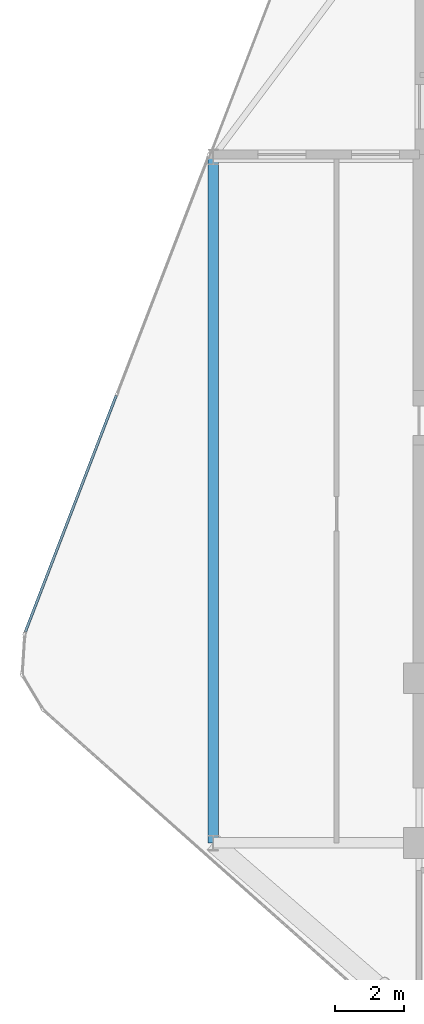
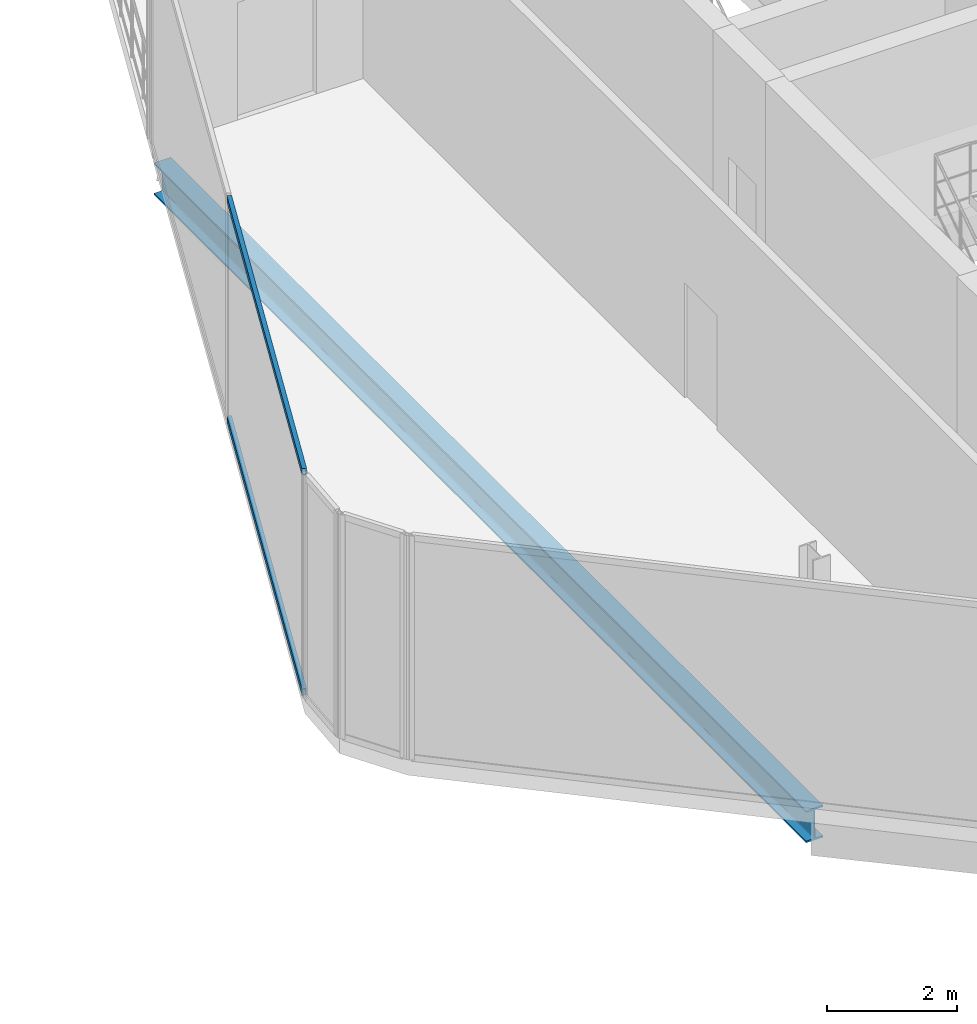
# One storey, part 9 of 31: 2 members, 1 beam, 1 element without a shape of its own.
"""IFC4 building model written with IfcOpenShell, lengths in metres."""

from ifc_helpers import new_model, si_unit, direction, frame, origin, origin_2d, place, context, subcontext, project, spatial, hollow_rectangle, i_section, extrude, material, layer, layer_set, material_profile, profile_set, type_object, element, aggregate, save


model = new_model("IFC4")

# Units and contexts
model_context = context("Model", 3, precision=1e-05, world=origin(), true_north=direction((0.0, 1.0)))
body_context = subcontext(model_context, "Body", "Model", "MODEL_VIEW")
ifc_project = project(units=[si_unit("LENGTHUNIT", "METRE"), si_unit("AREAUNIT", "SQUARE_METRE"), si_unit("VOLUMEUNIT", "CUBIC_METRE"), si_unit("PLANEANGLEUNIT", "RADIAN"), si_unit("MASSUNIT", "GRAM", prefix="KILO")], contexts=[model_context])

# Site, building, storey
site_placement = place(None, origin())
site = spatial("IfcSite", under=ifc_project, at=site_placement, CompositionType="ELEMENT")
building_placement = place(site_placement, origin())
building = spatial("IfcBuilding", under=site, at=building_placement, Name="Keshet Zoharim Tower", CompositionType="ELEMENT")
storey_placement = place(building_placement, frame((0.0, 0.0, 183.89990234375)))
storey = spatial("IfcBuildingStorey", under=building, at=storey_placement, Name="L45", CompositionType="ELEMENT", Elevation=183.89990234375)

# Beam
ifc_material_1 = material(Name="Steel S355", Category="steel")
ifc_material_profile_1 = material_profile(ifc_material_1, i_section(OverallWidth=0.300048828125, OverallDepth=0.60009765625, WebThickness=0.015380859375, FlangeThickness=0.030029296875, FilletRadius=0.027099609375, at=origin_2d()), Name="HEB600")
ifc_profile_set_1 = profile_set([ifc_material_profile_1], Name="Steel S355")
beam_type = type_object("IfcBeamType", Name="BM-LNG-HB600", PredefinedType="BEAM", material=ifc_profile_set_1)
beam_placement = place(storey_placement, frame((9.0, 17.89990234375, -0.619873046875), z_axis=(0.0, 1.0, 0.0), x_axis=(-1.0, 0.0, 0.0)))
element("IfcBeam", 1, at=beam_placement, inside=storey, type_object=beam_type, Name="L45 Primary Girder Y-001", PredefinedType="BEAM", context=body_context, shape_type="SweptSolid", body=[
    extrude(i_section(OverallWidth=0.300048828125, OverallDepth=0.60009765625, WebThickness=0.015380859375, FlangeThickness=0.030029296875, FilletRadius=0.027099609375, at=origin_2d()), origin(), (0.0, 0.0, 1.0), 20.0),
])

# Curtain wall, members
ifc_material_2 = material(Name="Aluminium 6063-T6", Category="aluminium")
ifc_layer = layer(ifc_material_2, 0.139892578125)
ifc_layer_set = layer_set([ifc_layer], Name="Aluminium 6063-T6")
curtain_wall_type = type_object("IfcCurtainWallType", Name="CW-SYS-05", PredefinedType="NOTDEFINED", material=ifc_layer_set)
curtain_wall_placement = place(storey_placement, origin())
curtain_wall = element("IfcCurtainWall", 2, at=curtain_wall_placement, inside=storey, type_object=curtain_wall_type, Name="L45 Unitised Curtain Wall 18", PredefinedType="NOTDEFINED")
ifc_material_profile_2 = material_profile(ifc_material_2, hollow_rectangle(XDim=0.074951171875, YDim=0.1201171875, WallThickness=0.00390625, at=origin_2d()), Name="TRN-75x120")
ifc_profile_set_2 = profile_set([ifc_material_profile_2], Name="Aluminium 6063-T6")
member_type = type_object("IfcMemberType", Name="CWT-T12", PredefinedType="USERDEFINED", material=ifc_profile_set_2)
member_1_placement = place(storey_placement, frame((3.522216796875, 24.058349609375, 0.03515625), z_axis=(0.358976864896, 0.933346457897, 0.0), x_axis=(-0.933346457897, 0.358976864896, 0.0)))
member_1 = element("IfcMember", 3, at=member_1_placement, type_object=member_type, Name="CW-05 transom 1.1", ObjectType="TRANSOM", PredefinedType="USERDEFINED", context=body_context, shape_type="SweptSolid", body=[
    extrude(hollow_rectangle(XDim=0.074951171875, YDim=0.1201171875, WallThickness=0.00390625, at=origin_2d()), origin(), (0.0, 0.0, 1.0), 7.387939453125),
])
member_2_placement = place(storey_placement, frame((3.522216796875, 24.058349609375, 4.155029296875), z_axis=(0.358976864896, 0.933346457897, 0.0), x_axis=(-0.933346457897, 0.358976864896, 0.0)))
member_2 = element("IfcMember", 4, at=member_2_placement, type_object=member_type, Name="CW-05 transom 1.2", ObjectType="TRANSOM", PredefinedType="USERDEFINED", context=body_context, shape_type="SweptSolid", body=[
    extrude(hollow_rectangle(XDim=0.074951171875, YDim=0.1201171875, WallThickness=0.00390625, at=origin_2d()), origin(), (0.0, 0.0, 1.0), 7.387939453125),
])
aggregate(curtain_wall, [member_1, member_2])

save(model, "model.ifc")
